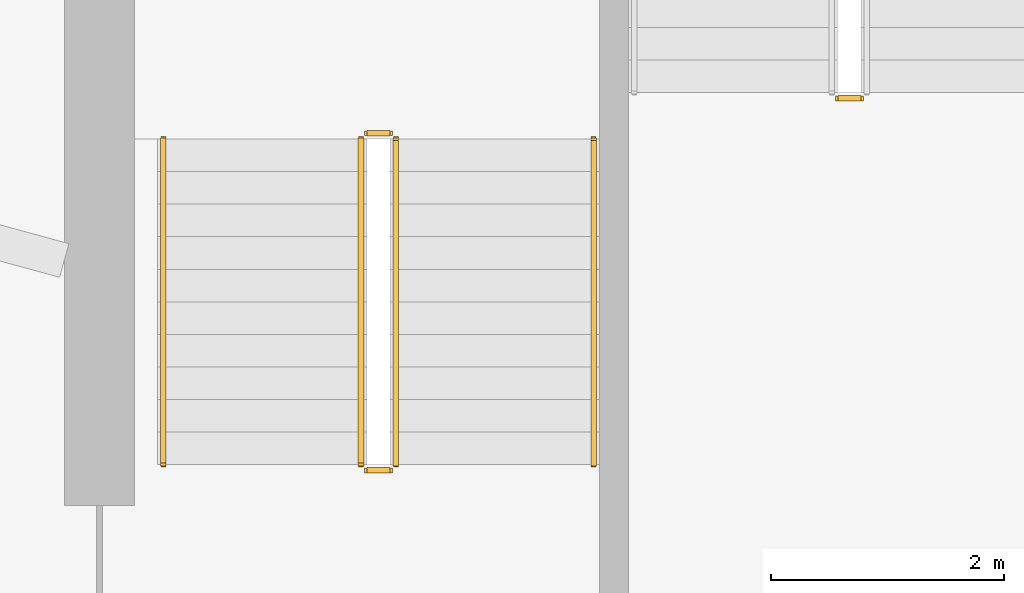
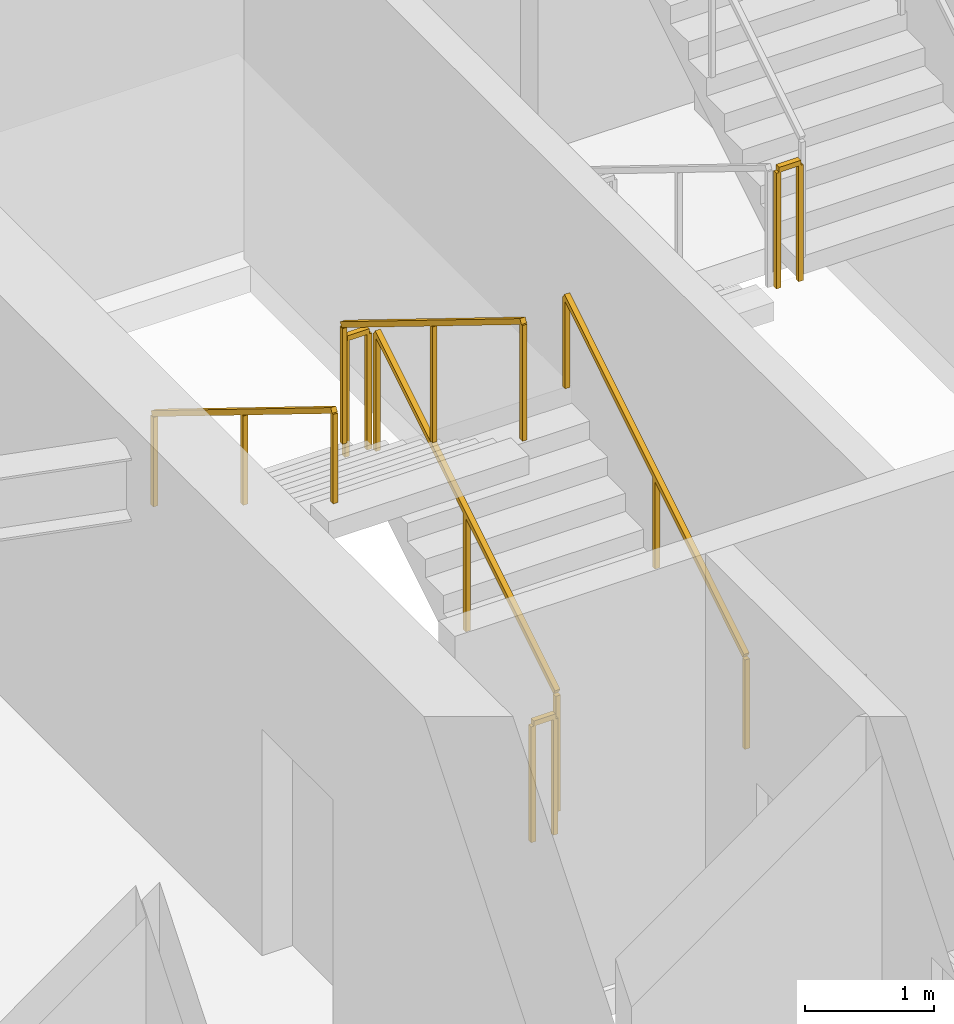
# One storey, part 23 of 25: 7 railings.
"""IFC4 building model written with IfcOpenShell, lengths in metres."""

from ifc_helpers import new_model, si_unit, direction, frame, origin, origin_2d, place, context, subcontext, project, spatial, rectangle, extrude, material, type_object, element, save


model = new_model("IFC4")

# Units and contexts
model_context = context("Model", 3, precision=1e-05, world=origin(), true_north=direction((0.0, 1.0)))
body_context = subcontext(model_context, "Body", "Model", "MODEL_VIEW")
ifc_project = project(units=[si_unit("LENGTHUNIT", "METRE"), si_unit("AREAUNIT", "SQUARE_METRE"), si_unit("VOLUMEUNIT", "CUBIC_METRE"), si_unit("PLANEANGLEUNIT", "RADIAN"), si_unit("MASSUNIT", "GRAM", prefix="KILO")], contexts=[model_context])

# Site, building, storey
site_placement = place(None, origin())
site = spatial("IfcSite", under=ifc_project, at=site_placement, CompositionType="ELEMENT")
building_placement = place(site_placement, origin())
building = spatial("IfcBuilding", under=site, at=building_placement, Name="Zuhravey Tower", CompositionType="ELEMENT")
storey_placement = place(building_placement, frame((0.0, 0.0, 235.0)))
storey = spatial("IfcBuildingStorey", under=building, at=storey_placement, Name="L59", CompositionType="ELEMENT", Elevation=235.0)

# Railings
ifc_material_1 = material(Name="Brushed stainless steel", Category="steel")
railing_type_1 = type_object("IfcRailingType", Name="Stair Wall Handrail 900", PredefinedType="HANDRAIL", material=ifc_material_1)
railing_1_placement = place(storey_placement, frame((29.75, 33.199951171875, 0.172607421875)))
element("IfcRailing", 1, at=railing_1_placement, inside=storey, type_object=railing_type_1, Name="L59 ST1 stair handrail 1", PredefinedType="HANDRAIL", context=body_context, shape_type="SweptSolid", body=[
    extrude(rectangle(XDim=0.048095703125, YDim=0.048095703125, at=origin_2d()), frame((0.0, 0.001708984375, 0.876953125), z_axis=(0.0, 0.851089632645, 0.525020415988), x_axis=(-1.0, 0.0, 0.0)), (0.0, 0.0, 1.0), 3.285888671875),
    extrude(rectangle(XDim=0.0419921875, YDim=0.0419921875, at=origin_2d()), origin(), (0.0, 0.0, 1.0), 0.849853515625),
    extrude(rectangle(XDim=0.0419921875, YDim=0.0419921875, at=origin_2d()), frame((0.0, 1.39990234375, 0.86376953125)), (0.0, 0.0, 1.0), 0.849853515625),
    extrude(rectangle(XDim=0.0419921875, YDim=0.0419921875, at=origin_2d()), frame((0.0, 2.800048828125, 1.727294921875)), (0.0, 0.0, 1.0), 0.849853515625),
])
railing_2_placement = place(storey_placement, frame((26.050048828125, 36.0, 2.07275390625)))
element("IfcRailing", 2, at=railing_2_placement, inside=storey, type_object=railing_type_1, Name="L59 ST1 stair handrail 2", PredefinedType="HANDRAIL", context=body_context, shape_type="SweptSolid", body=[
    extrude(rectangle(XDim=0.048095703125, YDim=0.048095703125, at=origin_2d()), frame((0.0, -0.001708984375, 0.876953125), z_axis=(0.0, -0.851089632645, 0.525020415988), x_axis=(1.0, 0.0, 0.0)), (0.0, 0.0, 1.0), 3.285888671875),
    extrude(rectangle(XDim=0.0419921875, YDim=0.0419921875, at=origin_2d()), origin(), (0.0, 0.0, 1.0), 0.849853515625),
    extrude(rectangle(XDim=0.0419921875, YDim=0.0419921875, at=origin_2d()), frame((0.0, -1.39990234375, 0.86376953125)), (0.0, 0.0, 1.0), 0.849853515625),
    extrude(rectangle(XDim=0.0419921875, YDim=0.0419921875, at=origin_2d()), frame((0.0, -2.800048828125, 1.727294921875)), (0.0, 0.0, 1.0), 0.849853515625),
])
ifc_material_2 = material(Name="Painted tubular steel", Category="steel")
railing_type_2 = type_object("IfcRailingType", Name="Stair Well Guardrail 1150", PredefinedType="GUARDRAIL", material=ifc_material_2)
railing_3_placement = place(storey_placement, frame((28.050048828125, 33.199951171875, 0.172607421875)))
element("IfcRailing", 3, at=railing_3_placement, inside=storey, type_object=railing_type_2, Name="L59 ST1 stair guard 1", PredefinedType="GUARDRAIL", context=body_context, shape_type="SweptSolid", body=[
    extrude(rectangle(XDim=0.048095703125, YDim=0.048095703125, at=origin_2d()), frame((0.0, 0.001708984375, 1.126953125), z_axis=(0.0, 0.851089632645, 0.525020415988), x_axis=(-1.0, 0.0, 0.0)), (0.0, 0.0, 1.0), 3.285888671875),
    extrude(rectangle(XDim=0.0419921875, YDim=0.0419921875, at=origin_2d()), origin(), (0.0, 0.0, 1.0), 1.099853515625),
    extrude(rectangle(XDim=0.0419921875, YDim=0.0419921875, at=origin_2d()), frame((0.0, 1.39990234375, 0.86376953125)), (0.0, 0.0, 1.0), 1.099853515625),
    extrude(rectangle(XDim=0.0419921875, YDim=0.0419921875, at=origin_2d()), frame((0.0, 2.800048828125, 1.727294921875)), (0.0, 0.0, 1.0), 1.099853515625),
])
railing_4_placement = place(storey_placement, frame((28.0, 36.050048828125, 1.89990234375)))
element("IfcRailing", 4, at=railing_4_placement, inside=storey, type_object=railing_type_2, Name="L59 ST1 stair guard 2", PredefinedType="GUARDRAIL", context=body_context, shape_type="SweptSolid", body=[
    extrude(rectangle(XDim=0.048095703125, YDim=0.048095703125, at=origin_2d()), frame((-0.001953125, 0.0, 1.1259765625), z_axis=(-1.0, 0.0, 0.0), x_axis=(0.0, -1.0, 0.0)), (0.0, 0.0, 1.0), 0.196044921875),
    extrude(rectangle(XDim=0.0419921875, YDim=0.0419921875, at=origin_2d()), origin(), (0.0, 0.0, 1.0), 1.099853515625),
    extrude(rectangle(XDim=0.0419921875, YDim=0.0419921875, at=origin_2d()), frame((-0.199951171875, 0.0, 0.0)), (0.0, 0.0, 1.0), 1.099853515625),
])
railing_5_placement = place(storey_placement, frame((27.75, 36.0, 2.07275390625)))
element("IfcRailing", 5, at=railing_5_placement, inside=storey, type_object=railing_type_2, Name="L59 ST1 stair guard 3", PredefinedType="GUARDRAIL", context=body_context, shape_type="SweptSolid", body=[
    extrude(rectangle(XDim=0.048095703125, YDim=0.048095703125, at=origin_2d()), frame((0.0, -0.001708984375, 1.126953125), z_axis=(0.0, -0.851089632645, 0.525020415988), x_axis=(1.0, 0.0, 0.0)), (0.0, 0.0, 1.0), 3.285888671875),
    extrude(rectangle(XDim=0.0419921875, YDim=0.0419921875, at=origin_2d()), origin(), (0.0, 0.0, 1.0), 1.099853515625),
    extrude(rectangle(XDim=0.0419921875, YDim=0.0419921875, at=origin_2d()), frame((0.0, -1.39990234375, 0.86376953125)), (0.0, 0.0, 1.0), 1.099853515625),
    extrude(rectangle(XDim=0.0419921875, YDim=0.0419921875, at=origin_2d()), frame((0.0, -2.800048828125, 1.727294921875)), (0.0, 0.0, 1.0), 1.099853515625),
])
railing_6_placement = place(storey_placement, frame((28.0, 33.14990234375, 0.0)))
element("IfcRailing", 6, at=railing_6_placement, inside=storey, type_object=railing_type_2, Name="L59 ST1 stair guard 4", PredefinedType="GUARDRAIL", context=body_context, shape_type="SweptSolid", body=[
    extrude(rectangle(XDim=0.048095703125, YDim=0.048095703125, at=origin_2d()), frame((-0.001953125, 0.0, 1.1259765625), z_axis=(-1.0, 0.0, 0.0), x_axis=(0.0, -1.0, 0.0)), (0.0, 0.0, 1.0), 0.196044921875),
    extrude(rectangle(XDim=0.0419921875, YDim=0.0419921875, at=origin_2d()), origin(), (0.0, 0.0, 1.0), 1.099853515625),
    extrude(rectangle(XDim=0.0419921875, YDim=0.0419921875, at=origin_2d()), frame((-0.199951171875, 0.0, 0.0)), (0.0, 0.0, 1.0), 1.099853515625),
])
railing_7_placement = place(storey_placement, frame((31.85009765625, 36.35009765625, 1.89990234375)))
element("IfcRailing", 7, at=railing_7_placement, inside=storey, type_object=railing_type_2, Name="L59 ST3 stair guard 2", PredefinedType="GUARDRAIL", context=body_context, shape_type="SweptSolid", body=[
    extrude(rectangle(XDim=0.048095703125, YDim=0.048095703125, at=origin_2d()), frame((0.001953125, 0.0, 1.1259765625), z_axis=(1.0, 0.0, 0.0), x_axis=(0.0, 1.0, 0.0)), (0.0, 0.0, 1.0), 0.196044921875),
    extrude(rectangle(XDim=0.0419921875, YDim=0.0419921875, at=origin_2d()), origin(), (0.0, 0.0, 1.0), 1.099853515625),
    extrude(rectangle(XDim=0.0419921875, YDim=0.0419921875, at=origin_2d()), frame((0.199951171875, 0.0, 0.0)), (0.0, 0.0, 1.0), 1.099853515625),
])

save(model, "model.ifc")
